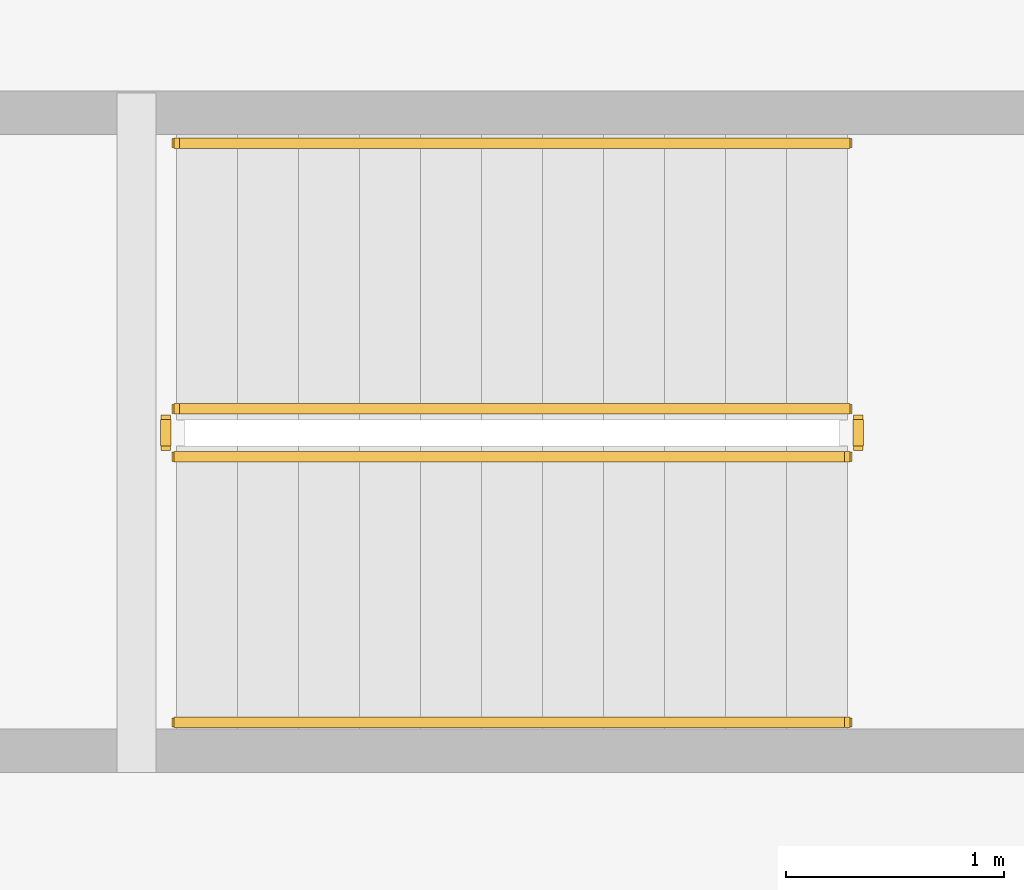
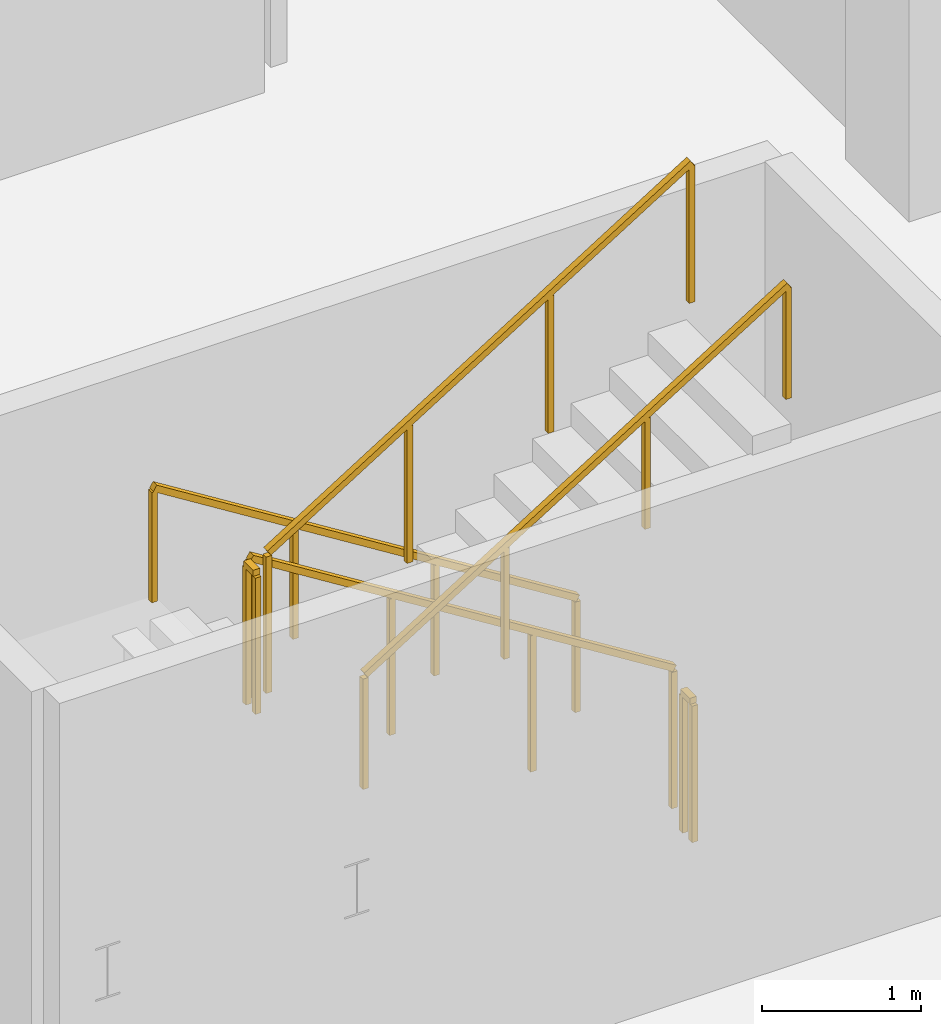
# One storey, part 17 of 21: 6 railings.
"""IFC4 building model written with IfcOpenShell, lengths in metres."""

from ifc_helpers import new_model, si_unit, direction, frame, origin, origin_2d, place, context, subcontext, project, spatial, rectangle, extrude, material, type_object, element, save


model = new_model("IFC4")

# Units and contexts
model_context = context("Model", 3, precision=1e-05, world=origin(), true_north=direction((0.0, 1.0)))
body_context = subcontext(model_context, "Body", "Model", "MODEL_VIEW")
ifc_project = project(units=[si_unit("LENGTHUNIT", "METRE"), si_unit("AREAUNIT", "SQUARE_METRE"), si_unit("VOLUMEUNIT", "CUBIC_METRE"), si_unit("PLANEANGLEUNIT", "RADIAN"), si_unit("MASSUNIT", "GRAM", prefix="KILO")], contexts=[model_context])

# Site, building, storey
site_placement = place(None, origin())
site = spatial("IfcSite", under=ifc_project, at=site_placement, CompositionType="ELEMENT")
building_placement = place(site_placement, origin())
building = spatial("IfcBuilding", under=site, at=building_placement, Name="Qhalaya Broadcast Tower", CompositionType="ELEMENT")
storey_placement = place(building_placement, frame((0.0, 0.0, 5.10009765625)))
storey = spatial("IfcBuildingStorey", under=building, at=storey_placement, Name="L01", CompositionType="ELEMENT", Elevation=5.10009765625)

# Railings
ifc_material = material(Name="Powder-Coated Galvanised Steel", Category="steel")
railing_type_1 = type_object("IfcRailingType", Name="Stair Wall Handrail 900", PredefinedType="HANDRAIL", material=ifc_material)
railing_1_placement = place(storey_placement, frame((-14.39990234375, -0.389892578125, 0.1748046875)))
element("IfcRailing", 1, at=railing_1_placement, inside=storey, type_object=railing_type_1, Name="L01 ST-P1 Stair Handrail 1", PredefinedType="HANDRAIL", context=body_context, shape_type="SweptSolid", body=[
    extrude(rectangle(XDim=0.048095703125, YDim=0.048095703125, at=origin_2d()), frame((0.0, 0.0, 0.8759765625), z_axis=(-0.847998304005, 0.0, 0.529998940003), x_axis=(0.0, -1.0, 0.0)), (0.0, 0.0, 1.0), 3.632080078125),
    extrude(rectangle(XDim=0.0419921875, YDim=0.0419921875, at=origin_2d()), origin(), (0.0, 0.0, 1.0), 0.849853515625),
    extrude(rectangle(XDim=0.0419921875, YDim=0.0419921875, at=origin_2d()), frame((-1.026611328125, 0.0, 0.6416015625)), (0.0, 0.0, 1.0), 0.849853515625),
    extrude(rectangle(XDim=0.0419921875, YDim=0.0419921875, at=origin_2d()), frame((-2.053466796875, 0.0, 1.283447265625)), (0.0, 0.0, 1.0), 0.849853515625),
    extrude(rectangle(XDim=0.0419921875, YDim=0.0419921875, at=origin_2d()), frame((-3.080078125, 0.0, 1.925048828125)), (0.0, 0.0, 1.0), 0.849853515625),
])
railing_2_placement = place(storey_placement, frame((-17.47998046875, -3.050048828125, 2.27490234375)))
element("IfcRailing", 2, at=railing_2_placement, inside=storey, type_object=railing_type_1, Name="L01 ST-P1 Stair Handrail 2", PredefinedType="HANDRAIL", context=body_context, shape_type="SweptSolid", body=[
    extrude(rectangle(XDim=0.048095703125, YDim=0.048095703125, at=origin_2d()), frame((0.0, 0.0, 0.8759765625), z_axis=(0.847998304005, 0.0, 0.529998940003), x_axis=(0.0, 1.0, 0.0)), (0.0, 0.0, 1.0), 3.632080078125),
    extrude(rectangle(XDim=0.0419921875, YDim=0.0419921875, at=origin_2d()), origin(), (0.0, 0.0, 1.0), 0.849853515625),
    extrude(rectangle(XDim=0.0419921875, YDim=0.0419921875, at=origin_2d()), frame((1.026611328125, 0.0, 0.6416015625)), (0.0, 0.0, 1.0), 0.849853515625),
    extrude(rectangle(XDim=0.0419921875, YDim=0.0419921875, at=origin_2d()), frame((2.053466796875, 0.0, 1.283447265625)), (0.0, 0.0, 1.0), 0.849853515625),
    extrude(rectangle(XDim=0.0419921875, YDim=0.0419921875, at=origin_2d()), frame((3.080078125, 0.0, 1.925048828125)), (0.0, 0.0, 1.0), 0.849853515625),
])
railing_type_2 = type_object("IfcRailingType", Name="Stair Well & Landing Guardrail 1100", PredefinedType="GUARDRAIL", material=ifc_material)
railing_3_placement = place(storey_placement, frame((-14.39990234375, -1.610107421875, 0.1748046875)))
element("IfcRailing", 3, at=railing_3_placement, inside=storey, type_object=railing_type_2, Name="L01 ST-P1 Stair Guard 1", PredefinedType="GUARDRAIL", context=body_context, shape_type="SweptSolid", body=[
    extrude(rectangle(XDim=0.048095703125, YDim=0.048095703125, at=origin_2d()), frame((0.0, 0.0, 1.076171875), z_axis=(-0.847998304005, 0.0, 0.529998940003), x_axis=(0.0, -1.0, 0.0)), (0.0, 0.0, 1.0), 3.632080078125),
    extrude(rectangle(XDim=0.0419921875, YDim=0.0419921875, at=origin_2d()), origin(), (0.0, 0.0, 1.0), 1.050048828125),
    extrude(rectangle(XDim=0.0419921875, YDim=0.0419921875, at=origin_2d()), frame((-1.026611328125, 0.0, 0.6416015625)), (0.0, 0.0, 1.0), 1.050048828125),
    extrude(rectangle(XDim=0.0419921875, YDim=0.0419921875, at=origin_2d()), frame((-2.053466796875, 0.0, 1.283447265625)), (0.0, 0.0, 1.0), 1.050048828125),
    extrude(rectangle(XDim=0.0419921875, YDim=0.0419921875, at=origin_2d()), frame((-3.080078125, 0.0, 1.925048828125)), (0.0, 0.0, 1.0), 1.050048828125),
])
railing_4_placement = place(storey_placement, frame((-17.530029296875, -1.659912109375, 2.099853515625)))
element("IfcRailing", 4, at=railing_4_placement, inside=storey, type_object=railing_type_2, Name="L01 ST-P1 Stair Guard 2", PredefinedType="GUARDRAIL", context=body_context, shape_type="SweptSolid", body=[
    extrude(rectangle(XDim=0.048095703125, YDim=0.048095703125, at=origin_2d()), frame((0.0, 0.0, 1.076171875), z_axis=(0.0, -1.0, 0.0), x_axis=(1.0, 0.0, 0.0)), (0.0, 0.0, 1.0), 0.1201171875),
    extrude(rectangle(XDim=0.0419921875, YDim=0.0419921875, at=origin_2d()), origin(), (0.0, 0.0, 1.0), 1.050048828125),
    extrude(rectangle(XDim=0.0419921875, YDim=0.0419921875, at=origin_2d()), frame((0.0, -0.1201171875, 0.0)), (0.0, 0.0, 1.0), 1.050048828125),
])
railing_5_placement = place(storey_placement, frame((-17.47998046875, -1.830078125, 2.27490234375)))
element("IfcRailing", 5, at=railing_5_placement, inside=storey, type_object=railing_type_2, Name="L01 ST-P1 Stair Guard 3", PredefinedType="GUARDRAIL", context=body_context, shape_type="SweptSolid", body=[
    extrude(rectangle(XDim=0.048095703125, YDim=0.048095703125, at=origin_2d()), frame((0.0, 0.0, 1.076171875), z_axis=(0.847998304005, 0.0, 0.529998940003), x_axis=(0.0, 1.0, 0.0)), (0.0, 0.0, 1.0), 3.632080078125),
    extrude(rectangle(XDim=0.0419921875, YDim=0.0419921875, at=origin_2d()), origin(), (0.0, 0.0, 1.0), 1.050048828125),
    extrude(rectangle(XDim=0.0419921875, YDim=0.0419921875, at=origin_2d()), frame((1.026611328125, 0.0, 0.6416015625)), (0.0, 0.0, 1.0), 1.050048828125),
    extrude(rectangle(XDim=0.0419921875, YDim=0.0419921875, at=origin_2d()), frame((2.053466796875, 0.0, 1.283447265625)), (0.0, 0.0, 1.0), 1.050048828125),
    extrude(rectangle(XDim=0.0419921875, YDim=0.0419921875, at=origin_2d()), frame((3.080078125, 0.0, 1.925048828125)), (0.0, 0.0, 1.0), 1.050048828125),
])
railing_6_placement = place(storey_placement, frame((-14.35009765625, -1.659912109375, 0.0)))
element("IfcRailing", 6, at=railing_6_placement, inside=storey, type_object=railing_type_2, Name="L01 ST-P1 Stair Guard 4", PredefinedType="GUARDRAIL", context=body_context, shape_type="SweptSolid", body=[
    extrude(rectangle(XDim=0.048095703125, YDim=0.048095703125, at=origin_2d()), frame((0.0, 0.0, 1.076171875), z_axis=(0.0, -1.0, 0.0), x_axis=(1.0, 0.0, 0.0)), (0.0, 0.0, 1.0), 0.1201171875),
    extrude(rectangle(XDim=0.0419921875, YDim=0.0419921875, at=origin_2d()), origin(), (0.0, 0.0, 1.0), 1.050048828125),
    extrude(rectangle(XDim=0.0419921875, YDim=0.0419921875, at=origin_2d()), frame((0.0, -0.1201171875, 0.0)), (0.0, 0.0, 1.0), 1.050048828125),
])

save(model, "model.ifc")
